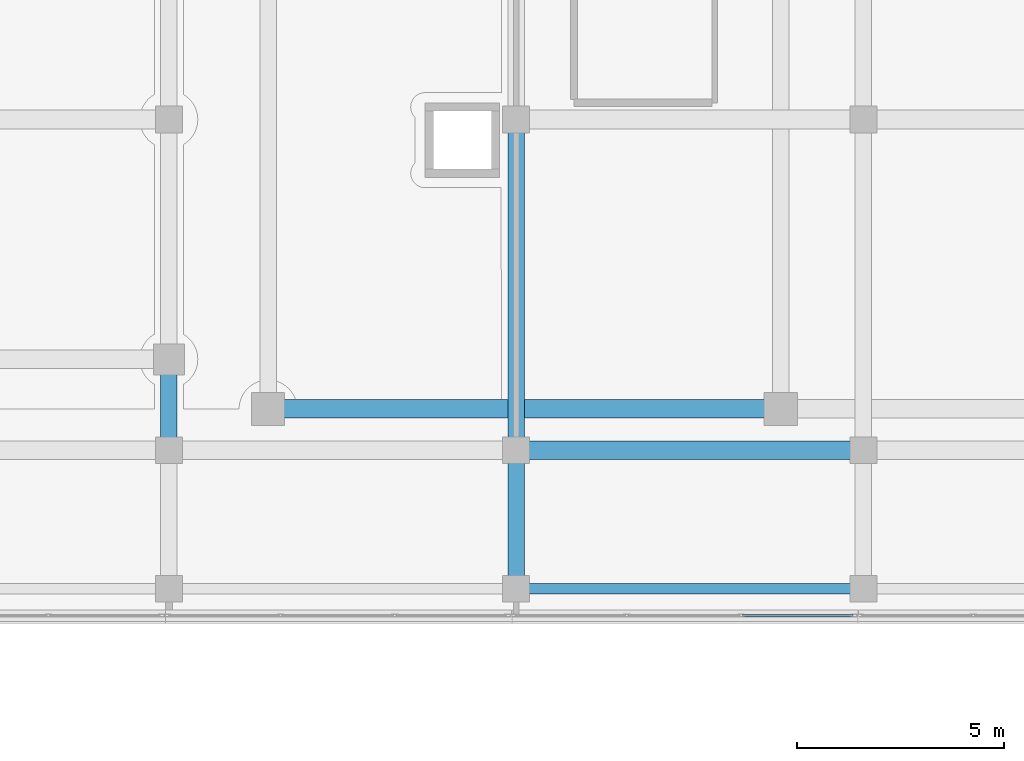
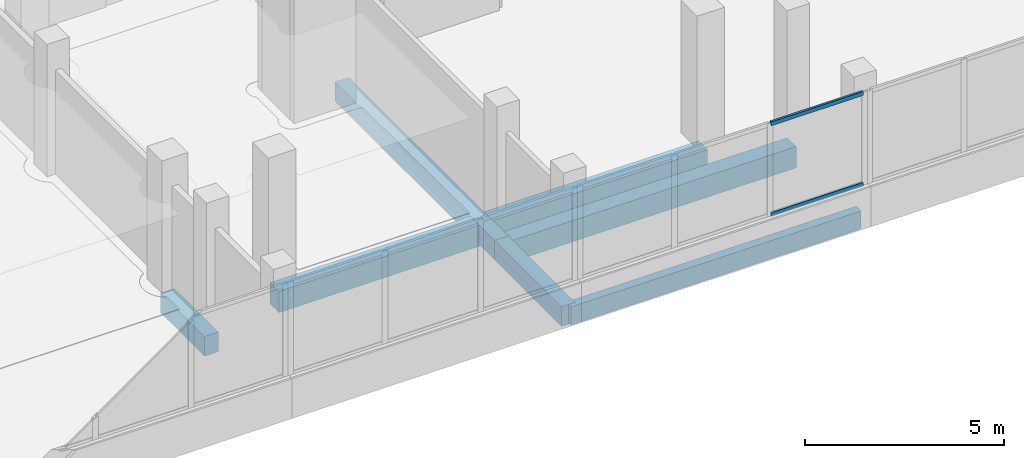
# One storey, part 9 of 76: 6 beams, 2 members, 1 element without a shape of its own.
"""IFC4 building model written with IfcOpenShell, lengths in metres."""

from ifc_helpers import new_model, si_unit, direction, frame, origin, origin_2d, place, context, subcontext, project, spatial, rectangle, hollow_rectangle, extrude, material, material_profile, profile_set, type_object, element, aggregate, save


model = new_model("IFC4")

# Units and contexts
model_context = context("Model", 3, precision=1e-05, world=origin(), true_north=direction((0.0, 1.0)))
body_context = subcontext(model_context, "Body", "Model", "MODEL_VIEW")
ifc_project = project(units=[si_unit("LENGTHUNIT", "METRE"), si_unit("AREAUNIT", "SQUARE_METRE"), si_unit("VOLUMEUNIT", "CUBIC_METRE"), si_unit("PLANEANGLEUNIT", "RADIAN"), si_unit("MASSUNIT", "GRAM", prefix="KILO")], contexts=[model_context])

# Site, building, storey
site_placement = place(None, origin())
site = spatial("IfcSite", under=ifc_project, at=site_placement, CompositionType="ELEMENT")
building_placement = place(site_placement, origin())
building = spatial("IfcBuilding", under=site, at=building_placement, Name="Selatvlak General Hospital", CompositionType="ELEMENT")
storey_placement = place(building_placement, frame((0.0, 0.0, 27.300048828125)))
storey = spatial("IfcBuildingStorey", under=building, at=storey_placement, Name="L06", CompositionType="ELEMENT", Elevation=27.300048828125)

# Beams
ifc_material_1 = material(Name="Concrete C40/50", Category="concrete")
ifc_material_profile_1 = material_profile(ifc_material_1, rectangle(XDim=0.449951171875, YDim=0.64990234375, at=origin_2d()), Name="RC-BM 450x650")
ifc_profile_set_1 = profile_set([ifc_material_profile_1], Name="Concrete C40/50")
beam_type_1 = type_object("IfcBeamType", Name="BM-G04", PredefinedType="BEAM", material=ifc_profile_set_1)
beam_1_placement = place(storey_placement, frame((64.800048828125, 92.0, -0.60009765625), z_axis=(1.0, 0.0, 0.0), x_axis=(0.0, 1.0, 0.0)))
element("IfcBeam", 1, at=beam_1_placement, inside=storey, type_object=beam_type_1, Name="Beam BMR-L06-2167", PredefinedType="BEAM", context=body_context, shape_type="SweptSolid", body=[
    extrude(rectangle(XDim=0.449951171875, YDim=0.64990234375, at=origin_2d()), origin(), (0.0, 0.0, 1.0), 8.39990234375),
])
beam_2_placement = place(storey_placement, frame((58.800048828125, 93.0, -0.60009765625), z_axis=(1.0, 0.0, 0.0), x_axis=(0.0, 1.0, 0.0)))
element("IfcBeam", 2, at=beam_2_placement, inside=storey, type_object=beam_type_1, Name="Beam BMR-L06-2182", PredefinedType="BEAM", context=body_context, shape_type="SweptSolid", body=[
    extrude(rectangle(XDim=0.449951171875, YDim=0.64990234375, at=origin_2d()), origin(), (0.0, 0.0, 1.0), 12.39990234375),
])
ifc_material_profile_2 = material_profile(ifc_material_1, rectangle(XDim=0.39990234375, YDim=0.60009765625, at=origin_2d()), Name="RC-BM 400x600")
ifc_profile_set_2 = profile_set([ifc_material_profile_2], Name="Concrete C40/50")
beam_type_2 = type_object("IfcBeamType", Name="BM-G05", PredefinedType="BEAM", material=ifc_profile_set_2)
beam_3_placement = place(storey_placement, frame((56.39990234375, 92.0, -0.574951171875), z_axis=(0.0, 1.0, 0.0), x_axis=(-1.0, 0.0, 0.0)))
element("IfcBeam", 3, at=beam_3_placement, inside=storey, type_object=beam_type_2, Name="Beam BMR-L06-2260", PredefinedType="BEAM", context=body_context, shape_type="SweptSolid", body=[
    extrude(rectangle(XDim=0.39990234375, YDim=0.60009765625, at=origin_2d()), origin(), (0.0, 0.0, 1.0), 2.199951171875),
])
beam_4_placement = place(storey_placement, frame((64.800048828125, 88.64990234375, -0.574951171875), z_axis=(0.0, 1.0, 0.0), x_axis=(-1.0, 0.0, 0.0)))
element("IfcBeam", 4, at=beam_4_placement, inside=storey, type_object=beam_type_2, Name="Beam BMR-L06-2265", PredefinedType="BEAM", context=body_context, shape_type="SweptSolid", body=[
    extrude(rectangle(XDim=0.39990234375, YDim=0.60009765625, at=origin_2d()), origin(), (0.0, 0.0, 1.0), 3.35009765625),
])
beam_5_placement = place(storey_placement, frame((64.800048828125, 92.0, -0.574951171875), z_axis=(0.0, 1.0, 0.0), x_axis=(-1.0, 0.0, 0.0)))
element("IfcBeam", 5, at=beam_5_placement, inside=storey, type_object=beam_type_2, Name="Beam BMR-L06-2266", PredefinedType="BEAM", context=body_context, shape_type="SweptSolid", body=[
    extrude(rectangle(XDim=0.39990234375, YDim=0.60009765625, at=origin_2d()), origin(), (0.0, 0.0, 1.0), 8.0),
])
ifc_material_profile_3 = material_profile(ifc_material_1, rectangle(XDim=0.25, YDim=0.550048828125, at=origin_2d()), Name="RC-SP 250x550")
ifc_profile_set_3 = profile_set([ifc_material_profile_3], Name="Concrete C40/50")
beam_type_3 = type_object("IfcBeamType", Name="BM-SP2", PredefinedType="SPANDREL", material=ifc_profile_set_3)
beam_6_placement = place(storey_placement, frame((64.800048828125, 88.64990234375, -0.550048828125), z_axis=(1.0, 0.0, 0.0), x_axis=(0.0, 1.0, 0.0)))
element("IfcBeam", 6, at=beam_6_placement, inside=storey, type_object=beam_type_3, Name="Beam BMR-L06-2148", PredefinedType="SPANDREL", context=body_context, shape_type="SweptSolid", body=[
    extrude(rectangle(XDim=0.25, YDim=0.550048828125, at=origin_2d()), origin(), (0.0, 0.0, 1.0), 8.39990234375),
])

# Curtain wall, members
ifc_material_2 = material(Name="Solar-control Low-E double glazing", Category="glass")
curtain_wall_type = type_object("IfcCurtainWallType", Name="CW-CW-01", PredefinedType="USERDEFINED", material=ifc_material_2)
curtain_wall_placement = place(storey_placement, origin())
curtain_wall = element("IfcCurtainWall", 7, at=curtain_wall_placement, inside=storey, type_object=curtain_wall_type, Name="Glazed facade curtain wall CW-L06-0633", ObjectType="UNITISED CURTAIN WALL", PredefinedType="USERDEFINED")
ifc_material_3 = material(Name="Dark anodised aluminium mullion", Category="aluminium")
ifc_material_profile_4 = material_profile(ifc_material_3, hollow_rectangle(XDim=0.06494140625, YDim=0.1201171875, WallThickness=0.00390625, at=origin_2d()), Name="AL-TRN 65x120x4")
ifc_profile_set_4 = profile_set([ifc_material_profile_4], Name="Dark anodised aluminium mullion")
member_type = type_object("IfcMemberType", Name="CWT-01", PredefinedType="USERDEFINED", material=ifc_profile_set_4)
member_1_placement = place(storey_placement, frame((72.944091796875, 88.0, 0.972412109375), z_axis=(-1.0, 0.0, 0.0), x_axis=(0.0, -1.0, 0.0)))
member_1 = element("IfcMember", 8, at=member_1_placement, type_object=member_type, Name="CW-01 transom 1.1", ObjectType="TRANSOM", PredefinedType="USERDEFINED", context=body_context, shape_type="SweptSolid", body=[
    extrude(hollow_rectangle(XDim=0.06494140625, YDim=0.1201171875, WallThickness=0.00390625, at=origin_2d()), origin(), (0.0, 0.0, 1.0), 2.6689453125),
])
member_2_placement = place(storey_placement, frame((72.944091796875, 88.0, 3.74755859375), z_axis=(-1.0, 0.0, 0.0), x_axis=(0.0, -1.0, 0.0)))
member_2 = element("IfcMember", 9, at=member_2_placement, type_object=member_type, Name="CW-01 transom 1.2", ObjectType="TRANSOM", PredefinedType="USERDEFINED", context=body_context, shape_type="SweptSolid", body=[
    extrude(hollow_rectangle(XDim=0.06494140625, YDim=0.1201171875, WallThickness=0.00390625, at=origin_2d()), origin(), (0.0, 0.0, 1.0), 2.6689453125),
])
aggregate(curtain_wall, [member_1, member_2])

save(model, "model.ifc")
